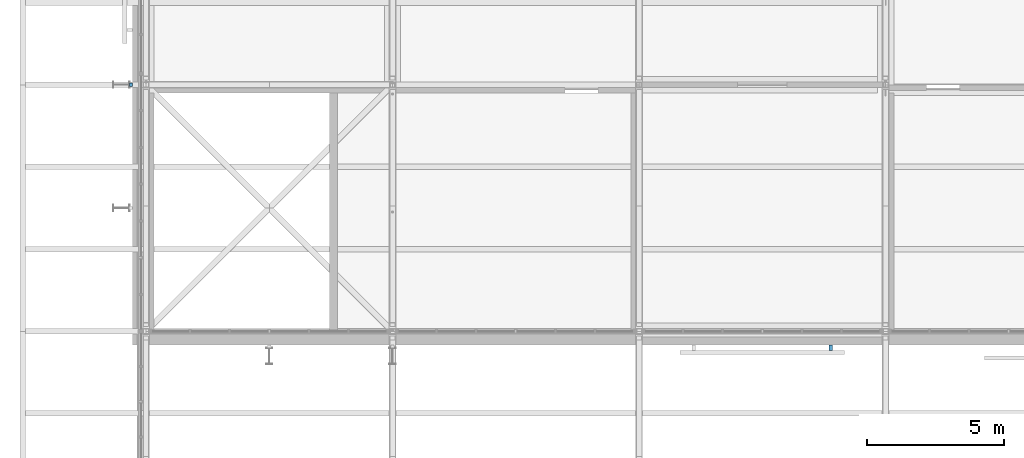
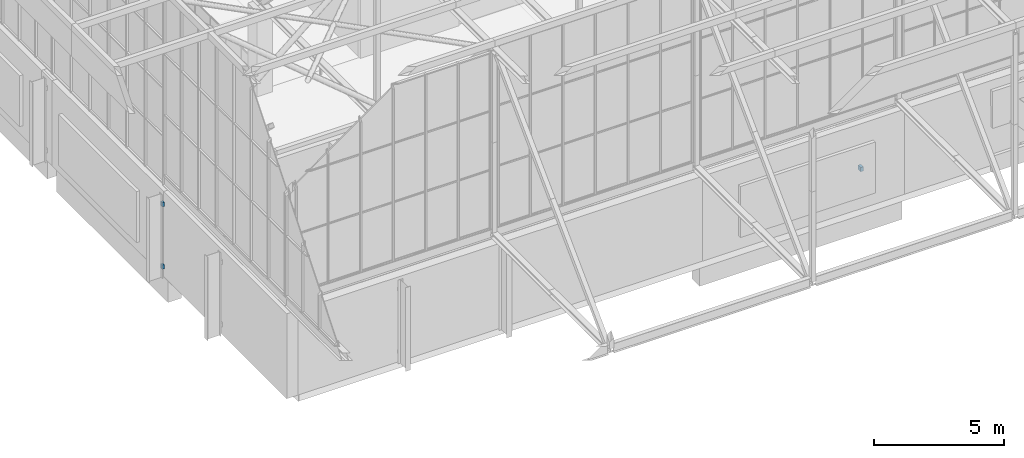
# One storey, part 177 of 646: 3 discrete accessories.
"""IFC4 building model written with IfcOpenShell, lengths in metres."""

from ifc_helpers import new_model, si_unit, direction, frame, origin, origin_2d, place, context, subcontext, project, spatial, rectangle, extrude, material, type_object, element, save


model = new_model("IFC4")

# Units and contexts
model_context = context("Model", 3, precision=1e-05, world=origin(), true_north=direction((0.0, 1.0)))
body_context = subcontext(model_context, "Body", "Model", "MODEL_VIEW")
ifc_project = project(units=[si_unit("LENGTHUNIT", "METRE"), si_unit("AREAUNIT", "SQUARE_METRE"), si_unit("VOLUMEUNIT", "CUBIC_METRE"), si_unit("PLANEANGLEUNIT", "RADIAN"), si_unit("MASSUNIT", "GRAM", prefix="KILO")], contexts=[model_context])

# Site, building, storey
site_placement = place(None, origin())
site = spatial("IfcSite", under=ifc_project, at=site_placement, CompositionType="ELEMENT")
building_placement = place(site_placement, origin())
building = spatial("IfcBuilding", under=site, at=building_placement, Name="Silverbay Arena", CompositionType="ELEMENT")
storey_placement = place(building_placement, frame((0.0, 0.0, 33.5)))
storey = spatial("IfcBuildingStorey", under=building, at=storey_placement, Name="L05", CompositionType="ELEMENT", Elevation=33.5)

# Discrete accessories
ifc_material = material(Name="Steel S355", Category="steel")
discrete_accessory_type = type_object("IfcDiscreteAccessoryType", Name="Steel bracket plate", PredefinedType="BRACKET", material=ifc_material)
discrete_accessory_placement = place(storey_placement, frame((79.0, 17.39990234375, 1.89990234375), z_axis=(0.0, 0.0, 1.0), x_axis=(1.0, 0.0, 0.0)))
element("IfcDiscreteAccessory", 1, at=discrete_accessory_placement, inside=storey, type_object=discrete_accessory_type, Name="Louvre support bracket", PredefinedType="BRACKET", context=body_context, shape_type="SweptSolid", body=[
    extrude(rectangle(XDim=0.1201171875, YDim=0.199951171875, at=origin_2d()), origin(), (0.0, 0.0, 1.0), 0.199951171875),
])
for number, where, z_axis, x_axis, name in (
    (2, (53.449951171875, 27.0, 0.39990234375), (0.0, 0.0, 1.0), (1.0, 0.0, 0.0), "Fin bracket"),
    (3, (53.449951171875, 27.0, 3.33984375), (0.0, 0.0, 1.0), (1.0, 0.0, 0.0), "Fin bracket"),
):
    element("IfcDiscreteAccessory", number, at=place(storey_placement, frame(where, z_axis=z_axis, x_axis=x_axis)), inside=storey, type_object=discrete_accessory_type, Name=name, PredefinedType="BRACKET", context=body_context, shape_type="SweptSolid", body=[
        extrude(rectangle(XDim=0.10009765625, YDim=0.1201171875, at=origin_2d()), origin(), (0.0, 0.0, 1.0), 0.199951171875),
    ])

save(model, "model.ifc")
